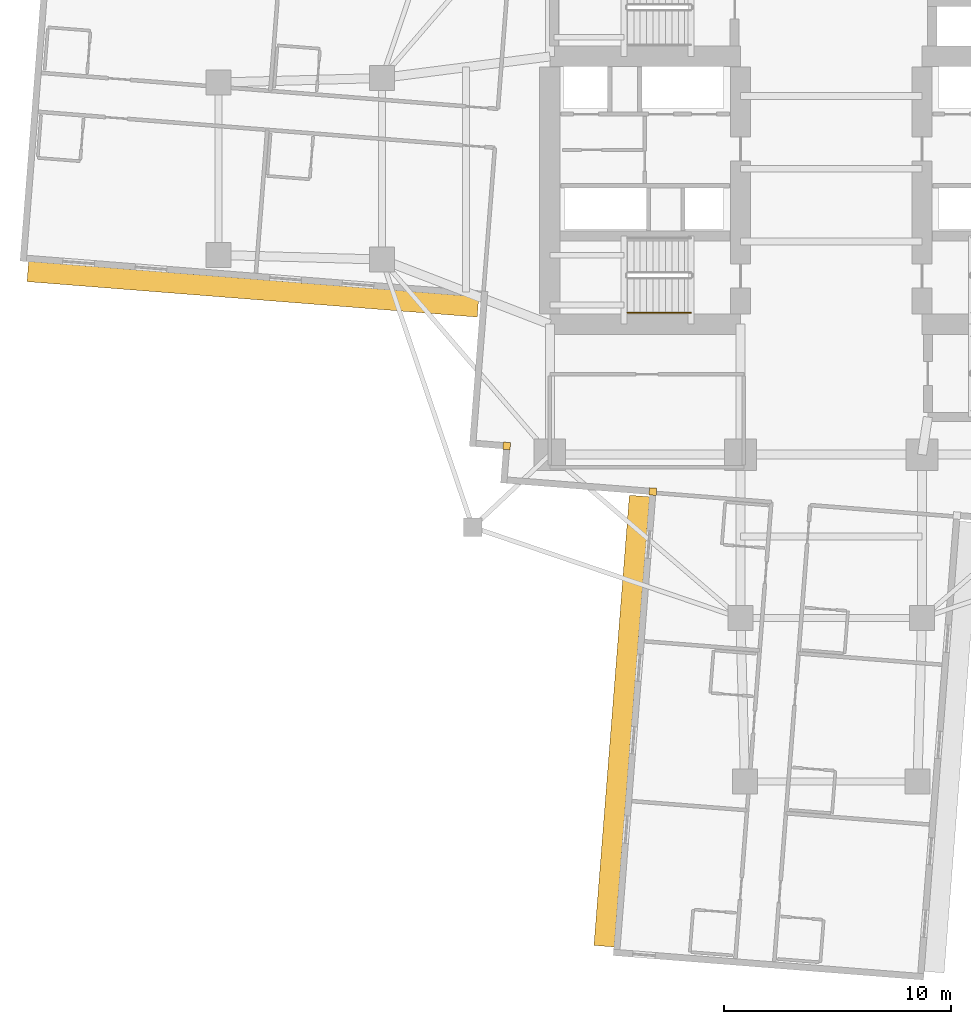
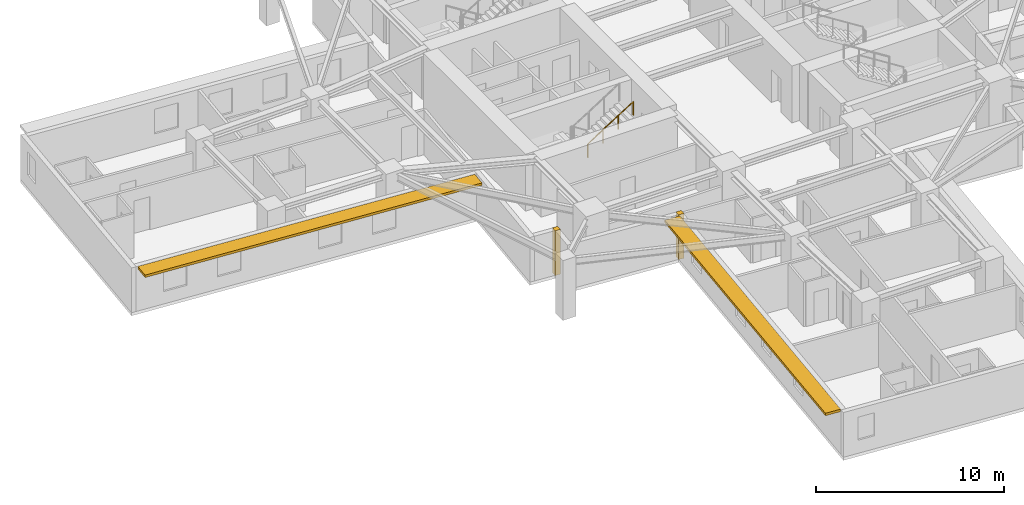
# One storey, part 10 of 14: 2 coverings, 2 shading devices, 1 railing.
"""IFC4 building model written with IfcOpenShell, lengths in metres."""

from ifc_helpers import new_model, si_unit, direction, frame, origin, origin_2d, place, context, subcontext, project, spatial, rectangle, circle, extrude, material, layer, layer_set, type_object, element, save


model = new_model("IFC4")

# Units and contexts
model_context = context("Model", 3, precision=1e-05, world=origin(), true_north=direction((0.0, 1.0)))
body_context = subcontext(model_context, "Body", "Model", "MODEL_VIEW")
ifc_project = project(units=[si_unit("LENGTHUNIT", "METRE"), si_unit("AREAUNIT", "SQUARE_METRE"), si_unit("VOLUMEUNIT", "CUBIC_METRE"), si_unit("PLANEANGLEUNIT", "RADIAN"), si_unit("MASSUNIT", "GRAM", prefix="KILO")], contexts=[model_context])

# Site, building, storey
site_placement = place(None, origin())
site = spatial("IfcSite", under=ifc_project, at=site_placement, CompositionType="ELEMENT")
building_placement = place(site_placement, origin())
building = spatial("IfcBuilding", under=site, at=building_placement, Name="Qingluan Cross Belvedere", CompositionType="ELEMENT")
storey_placement = place(building_placement, frame((0.0, 0.0, 83.39990234375)))
storey = spatial("IfcBuildingStorey", under=building, at=storey_placement, Name="L21", CompositionType="ELEMENT", Elevation=83.39990234375)

# Coverings
ifc_material_1 = material(Name="Precast concrete C45", Category="concrete")
ifc_layer_1 = layer(ifc_material_1, 0.1201171875, Name="ConcreteSpandrelCladding_120")
ifc_layer_set_1 = layer_set([ifc_layer_1], Name="Precast concrete C45")
covering_type = type_object("IfcCoveringType", Name="ConcreteSpandrelCladding_120", PredefinedType="CLADDING", material=ifc_layer_set_1)
for number, where, z_axis, x_axis, name in (
    (1, (-14.302490234375, -12.215576171875, 0.0), (0.0, 0.0, 1.0), (0.996917333733, -0.078459095728, 0.0), "Corner closure L21-SW1"),
    (2, (-7.860595703125, -14.22705078125, 0.0), (0.0, 0.0, 1.0), (0.996917333733, -0.078459095728, 0.0), "Corner closure L21-SW2"),
):
    element("IfcCovering", number, at=place(storey_placement, frame(where, z_axis=z_axis, x_axis=x_axis)), inside=storey, type_object=covering_type, Name=name, PredefinedType="CLADDING", context=body_context, shape_type="SweptSolid", body=[
        extrude(rectangle(XDim=0.320068359375, YDim=0.320068359375, at=origin_2d()), origin(), (0.0, 0.0, 1.0), 2.909912109375),
    ])

# Shading devices
ifc_material_2 = material(Name="Precast concrete C45", Category="concrete")
ifc_layer_2 = layer(ifc_material_2, 0.159912109375, Name="ConcreteSunshadeBand_900")
ifc_layer_set_2 = layer_set([ifc_layer_2], Name="Precast concrete C45")
shading_device_type = type_object("IfcShadingDeviceType", Name="ConcreteSunshadeBand_900", PredefinedType="USERDEFINED", material=ifc_layer_set_2)
for number, where, z_axis, x_axis, name in (
    (3, (-25.48486328125, -5.306884765625, 2.72998046875), (0.0, 0.0, 1.0), (0.996917430244, -0.078457869429, 0.0), "Concrete SUNSHADE L21-WB"),
    (4, (-9.228271484375, -24.341064453125, 2.72998046875), (0.0, 0.0, 1.0), (-0.078457869429, -0.996917430244, 0.0), "Concrete SUNSHADE L21-SA"),
):
    element("IfcShadingDevice", number, at=place(storey_placement, frame(where, z_axis=z_axis, x_axis=x_axis)), inside=storey, type_object=shading_device_type, Name=name, ObjectType="SUNSHADE", PredefinedType="USERDEFINED", context=body_context, shape_type="SweptSolid", body=[
        extrude(rectangle(XDim=19.89990234375, YDim=0.89990234375, at=origin_2d()), origin(), (0.0, 0.0, 1.0), 0.159912109375),
    ])

# Railing
ifc_material_3 = material(Name="Brushed stainless steel tubular handrail", Category="steel")
railing_type = type_object("IfcRailingType", Name="StairPitchHandrail_900", PredefinedType="HANDRAIL", material=ifc_material_3)
railing_placement = place(storey_placement, frame((-8.97998046875, -6.35009765625, 2.12744140625)))
element("IfcRailing", 5, at=railing_placement, inside=storey, type_object=railing_type, Name="L21 ST1 stair handrail 2", PredefinedType="HANDRAIL", context=body_context, shape_type="SweptSolid", body=[
    extrude(circle(Radius=0.02392578125, at=origin_2d()), frame((0.0, 0.0, 0.8759765625), z_axis=(0.844908973607, 0.0, 0.534910110503), x_axis=(0.0, 1.0, 0.0)), (0.0, 0.0, 1.0), 3.31396484375),
    extrude(circle(Radius=0.02099609375, at=origin_2d()), origin(), (0.0, 0.0, 1.0), 0.851806640625),
    extrude(circle(Radius=0.02099609375, at=origin_2d()), frame((0.933349609375, 0.0, 0.5908203125)), (0.0, 0.0, 1.0), 0.851806640625),
    extrude(circle(Radius=0.02099609375, at=origin_2d()), frame((1.86669921875, 0.0, 1.181884765625)), (0.0, 0.0, 1.0), 0.851806640625),
    extrude(circle(Radius=0.02099609375, at=origin_2d()), frame((2.800048828125, 0.0, 1.772705078125)), (0.0, 0.0, 1.0), 0.851806640625),
])

save(model, "model.ifc")
